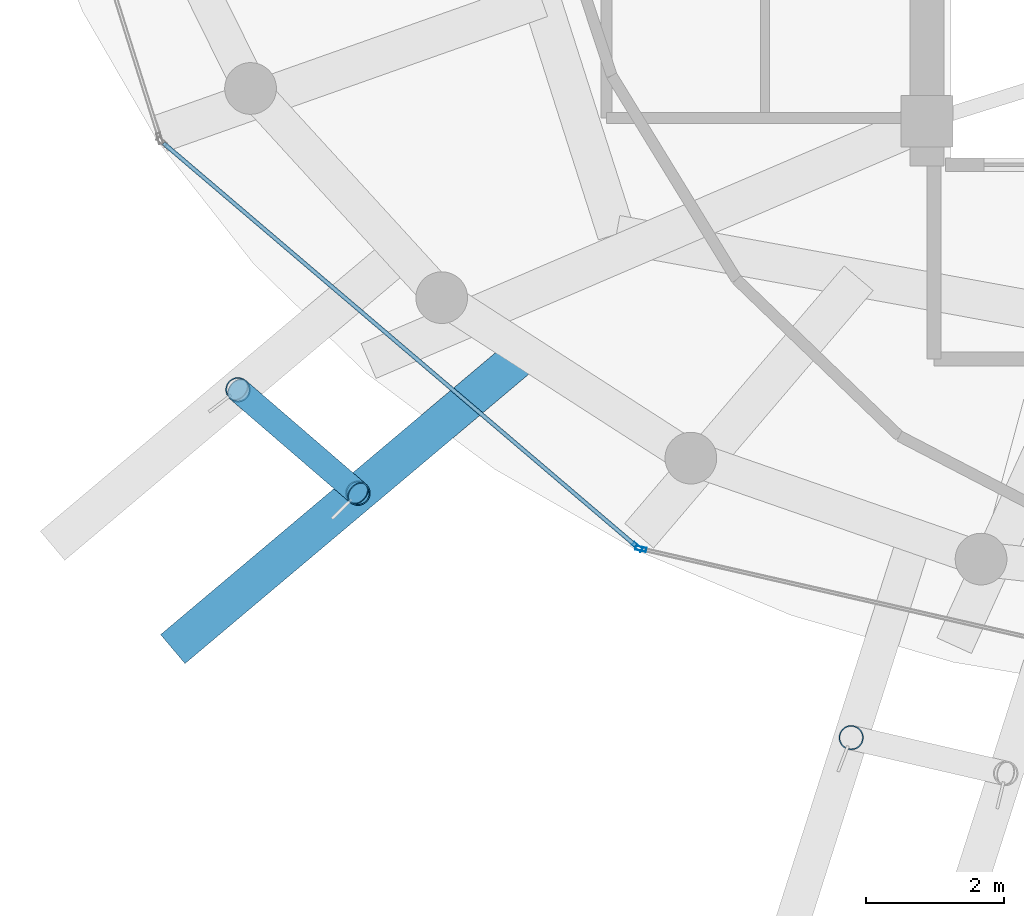
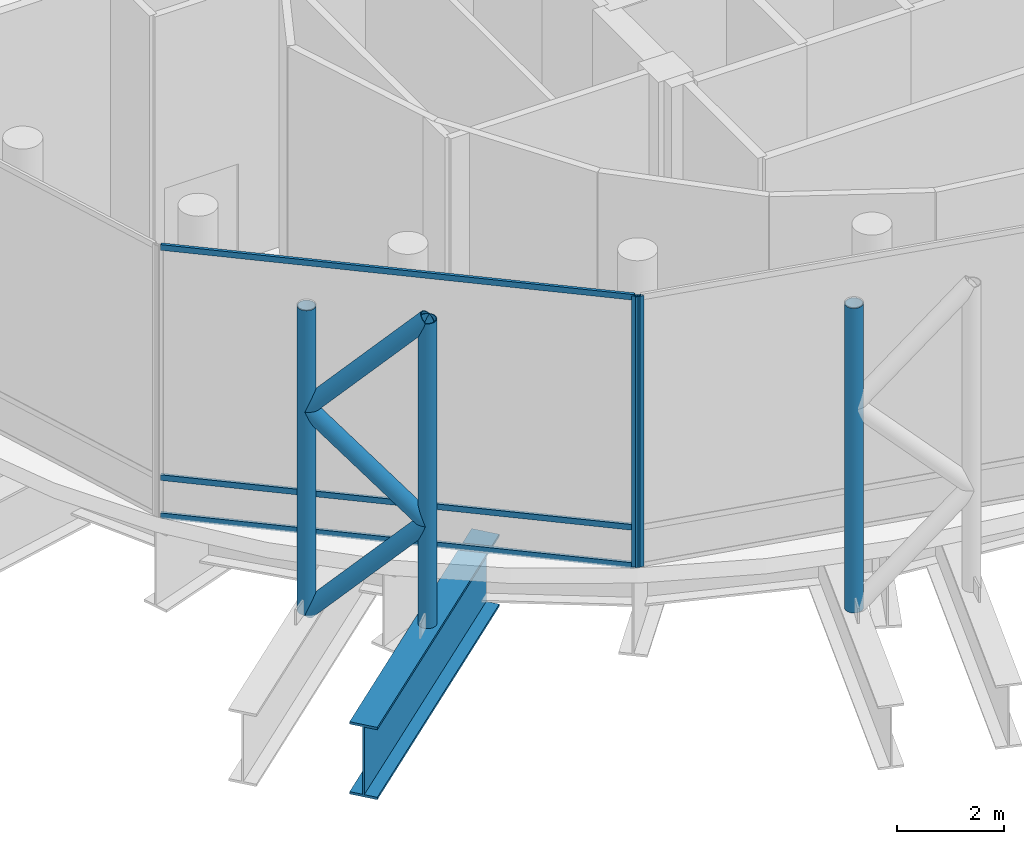
# One storey, part 2 of 26: 11 members, 1 beam, 2 elements without a shape of their own.
"""IFC4 building model written with IfcOpenShell, lengths in metres."""

from ifc_helpers import new_model, si_unit, direction, frame, origin, origin_2d, place, context, subcontext, project, spatial, hollow_rectangle, hollow_circle, i_section, extrude, material, layer, layer_set, material_profile, profile_set, type_object, element, aggregate, save


model = new_model("IFC4")

# Units and contexts
model_context = context("Model", 3, precision=1e-05, world=origin(), true_north=direction((0.0, 1.0)))
body_context = subcontext(model_context, "Body", "Model", "MODEL_VIEW")
ifc_project = project(units=[si_unit("LENGTHUNIT", "METRE"), si_unit("AREAUNIT", "SQUARE_METRE"), si_unit("VOLUMEUNIT", "CUBIC_METRE"), si_unit("PLANEANGLEUNIT", "RADIAN"), si_unit("MASSUNIT", "GRAM", prefix="KILO")], contexts=[model_context])

# Site, building, storey
site_placement = place(None, origin())
site = spatial("IfcSite", under=ifc_project, at=site_placement, CompositionType="ELEMENT")
building_placement = place(site_placement, origin())
building = spatial("IfcBuilding", under=site, at=building_placement, Name="Nuhasar Tower", CompositionType="ELEMENT")
storey_placement = place(building_placement, frame((0.0, 0.0, 306.800048828125)))
storey = spatial("IfcBuildingStorey", under=building, at=storey_placement, Name="L76", CompositionType="ELEMENT", Elevation=306.800048828125)

# Beam
ifc_material_1 = material(Name="Steel S460", Category="steel")
ifc_material_profile_1 = material_profile(ifc_material_1, i_section(OverallWidth=0.550048828125, OverallDepth=1.64990234375, WebThickness=0.031982421875, FlangeThickness=0.054931640625, at=origin_2d()), Name="PG1650X550")
ifc_profile_set_1 = profile_set([ifc_material_profile_1], Name="Steel S460")
beam_type = type_object("IfcBeamType", Name="BM-XFER-PG1650", PredefinedType="USERDEFINED", material=ifc_profile_set_1)
beam_placement = place(storey_placement, frame((27.882080078125, 15.655029296875, -1.175048828125), z_axis=(-0.765007637998, -0.644021206021, 0.0), x_axis=(0.644021206021, -0.765007637998, 0.0)))
element("IfcBeam", 1, at=beam_placement, inside=storey, type_object=beam_type, Name="L76 Exoskeleton Step Transfer Girder 16", ObjectType="GIRDER", PredefinedType="USERDEFINED", context=body_context, shape_type="SweptSolid", body=[
    extrude(i_section(OverallWidth=0.550048828125, OverallDepth=1.64990234375, WebThickness=0.031982421875, FlangeThickness=0.054931640625, at=origin_2d()), origin(), (0.0, 0.0, 1.0), 6.695556640625),
])

# Curtain wall, member
ifc_material_2 = material(Name="Aluminium 6063-T6", Category="aluminium")
ifc_layer = layer(ifc_material_2, 0.239990234375)
ifc_layer_set = layer_set([ifc_layer], Name="Aluminium 6063-T6")
curtain_wall_type = type_object("IfcCurtainWallType", Name="CW-SKY-LBY", PredefinedType="NOTDEFINED", material=ifc_layer_set)
curtain_wall_1_placement = place(storey_placement, origin())
curtain_wall_1 = element("IfcCurtainWall", 2, at=curtain_wall_1_placement, inside=storey, type_object=curtain_wall_type, Name="L76 Unitised Curtain Wall 08", PredefinedType="NOTDEFINED")
ifc_material_profile_2 = material_profile(ifc_material_2, hollow_rectangle(XDim=0.06005859375, YDim=0.159912109375, WallThickness=0.0048828125, at=origin_2d()), Name="CWM-6")
ifc_profile_set_2 = profile_set([ifc_material_profile_2], Name="Aluminium 6063-T6")
member_type_1 = type_object("IfcMemberType", Name="CW-MUL-S6", PredefinedType="MULLION", material=ifc_profile_set_2)
member_1_placement = place(storey_placement, frame((29.4970703125, 12.824462890625, 0.0), z_axis=(0.0, 0.0, 1.0), x_axis=(0.648666497118, 0.761072779382, 0.0)))
member_1 = element("IfcMember", 3, at=member_1_placement, type_object=member_type_1, Name="CW-SL mullion 2", PredefinedType="MULLION", context=body_context, shape_type="SweptSolid", body=[
    extrude(hollow_rectangle(XDim=0.06005859375, YDim=0.159912109375, WallThickness=0.0048828125, at=origin_2d()), origin(), (0.0, 0.0, 1.0), 6.179931640625),
])

curtain_wall_2_placement = place(storey_placement, origin())
curtain_wall_2 = element("IfcCurtainWall", 4, at=curtain_wall_2_placement, inside=storey, type_object=curtain_wall_type, Name="L76 Unitised Curtain Wall 09", PredefinedType="NOTDEFINED")
member_2_placement = place(storey_placement, frame((29.54931640625, 12.79833984375, 0.0), z_axis=(0.0, 0.0, 1.0), x_axis=(0.222643296147, 0.974899975731, 0.0)))
member_2 = element("IfcMember", 5, at=member_2_placement, type_object=member_type_1, Name="CW-SL mullion 1", PredefinedType="MULLION", context=body_context, shape_type="SweptSolid", body=[
    extrude(hollow_rectangle(XDim=0.06005859375, YDim=0.159912109375, WallThickness=0.0048828125, at=origin_2d()), origin(), (0.0, 0.0, 1.0), 6.179931640625),
])
aggregate(curtain_wall_2, [member_2])

# Member
ifc_material_profile_3 = material_profile(ifc_material_2, hollow_rectangle(XDim=0.06005859375, YDim=0.1298828125, WallThickness=0.00439453125, at=origin_2d()), Name="CWT-6")
ifc_profile_set_3 = profile_set([ifc_material_profile_3], Name="Aluminium 6063-T6")
member_type_2 = type_object("IfcMemberType", Name="CW-TRN-S6", PredefinedType="USERDEFINED", material=ifc_profile_set_3)
member_3_placement = place(storey_placement, frame((22.625732421875, 18.68115234375, 0.030029296875), z_axis=(0.761071081007, -0.648668489797, 0.0), x_axis=(0.648668489797, 0.761071081007, 0.0)))
member_3 = element("IfcMember", 6, at=member_3_placement, type_object=member_type_2, Name="CW-SL transom 1.1", ObjectType="TRANSOM", PredefinedType="USERDEFINED", context=body_context, shape_type="SweptSolid", body=[
    extrude(hollow_rectangle(XDim=0.06005859375, YDim=0.1298828125, WallThickness=0.00439453125, at=origin_2d()), origin(), (0.0, 0.0, 1.0), 8.998779296875),
])

member_4_placement = place(storey_placement, frame((22.625732421875, 18.68115234375, 0.89990234375), z_axis=(0.761071081007, -0.648668489797, 0.0), x_axis=(0.648668489797, 0.761071081007, 0.0)))
member_4 = element("IfcMember", 7, at=member_4_placement, type_object=member_type_2, Name="CW-SL transom 1.2", ObjectType="TRANSOM", PredefinedType="USERDEFINED", context=body_context, shape_type="SweptSolid", body=[
    extrude(hollow_rectangle(XDim=0.06005859375, YDim=0.1298828125, WallThickness=0.00439453125, at=origin_2d()), origin(), (0.0, 0.0, 1.0), 8.998779296875),
])

member_5_placement = place(storey_placement, frame((22.625732421875, 18.68115234375, 6.14990234375), z_axis=(0.761071081007, -0.648668489797, 0.0), x_axis=(0.648668489797, 0.761071081007, 0.0)))
member_5 = element("IfcMember", 8, at=member_5_placement, type_object=member_type_2, Name="CW-SL transom 1.3", ObjectType="TRANSOM", PredefinedType="USERDEFINED", context=body_context, shape_type="SweptSolid", body=[
    extrude(hollow_rectangle(XDim=0.06005859375, YDim=0.1298828125, WallThickness=0.00439453125, at=origin_2d()), origin(), (0.0, 0.0, 1.0), 8.998779296875),
])

aggregate(curtain_wall_1, [member_1, member_3, member_4, member_5])

# Members
ifc_material_profile_4 = material_profile(ifc_material_1, hollow_circle(Radius=0.177734375, WallThickness=0.015869140625, at=origin_2d()), Name="HSS355.6X15.9")
ifc_profile_set_4 = profile_set([ifc_material_profile_4], Name="Steel S460")
member_type_3 = type_object("IfcMemberType", Name="EXO-BRONZE-356", PredefinedType="BRACE", material=ifc_profile_set_4)
for number, where, z_axis, x_axis, name in (
    (9, (23.7041015625, 15.10595703125, -0.35009765625), (0.0, 0.0, 1.0), (1.0, 0.0, 0.0), "L76 Exoskeleton Chord Column EC-08A"),
    (10, (25.446044921875, 13.60400390625, -0.35009765625), (0.0, 0.0, 1.0), (1.0, 0.0, 0.0), "L76 Exoskeleton Chord Column EC-08B"),
    (11, (32.60009765625, 10.05908203125, -0.35009765625), (0.0, 0.0, 1.0), (1.0, 0.0, 0.0), "L76 Exoskeleton Chord Column EC-09A"),
):
    element("IfcMember", number, at=place(storey_placement, frame(where, z_axis=z_axis, x_axis=x_axis)), inside=storey, type_object=member_type_3, Name=name, PredefinedType="BRACE", context=body_context, shape_type="SweptSolid", body=[
        extrude(hollow_circle(Radius=0.177734375, WallThickness=0.015869140625, at=origin_2d()), origin(), (0.0, 0.0, 1.0), 6.949951171875),
    ])
member_6_placement = place(storey_placement, frame((23.7041015625, 15.10595703125, -0.35009765625), z_axis=(0.533541781208, -0.460034903713, 0.709718997259), x_axis=(0.653008910962, 0.757350224271, 0.0)))
element("IfcMember", 12, at=member_6_placement, inside=storey, type_object=member_type_3, Name="L76 Bronze Diagrid Brace W1-08", PredefinedType="BRACE", context=body_context, shape_type="SweptSolid", body=[
    extrude(hollow_circle(Radius=0.177734375, WallThickness=0.015869140625, at=origin_2d()), origin(), (0.0, 0.0, 1.0), 3.264892578125),
])
member_7_placement = place(storey_placement, frame((25.446044921875, 13.60400390625, 1.967041015625), z_axis=(-0.533683379422, 0.460156993722, 0.709533361906), x_axis=(-0.653008910962, -0.757350224271, 0.0)))
element("IfcMember", 13, at=member_7_placement, inside=storey, type_object=member_type_3, Name="L76 Bronze Diagrid Brace W2-08", PredefinedType="BRACE", context=body_context, shape_type="SweptSolid", body=[
    extrude(hollow_circle(Radius=0.177734375, WallThickness=0.015869140625, at=origin_2d()), origin(), (0.0, 0.0, 1.0), 3.263916015625),
])
member_8_placement = place(storey_placement, frame((23.7041015625, 15.10595703125, 4.282958984375), z_axis=(0.533570097802, -0.460059319086, 0.70968188201), x_axis=(0.653008910962, 0.757350224271, 0.0)))
element("IfcMember", 14, at=member_8_placement, inside=storey, type_object=member_type_3, Name="L76 Bronze Diagrid Brace W3-08", PredefinedType="BRACE", context=body_context, shape_type="SweptSolid", body=[
    extrude(hollow_circle(Radius=0.177734375, WallThickness=0.015869140625, at=origin_2d()), origin(), (0.0, 0.0, 1.0), 3.2646484375),
])

save(model, "model.ifc")
